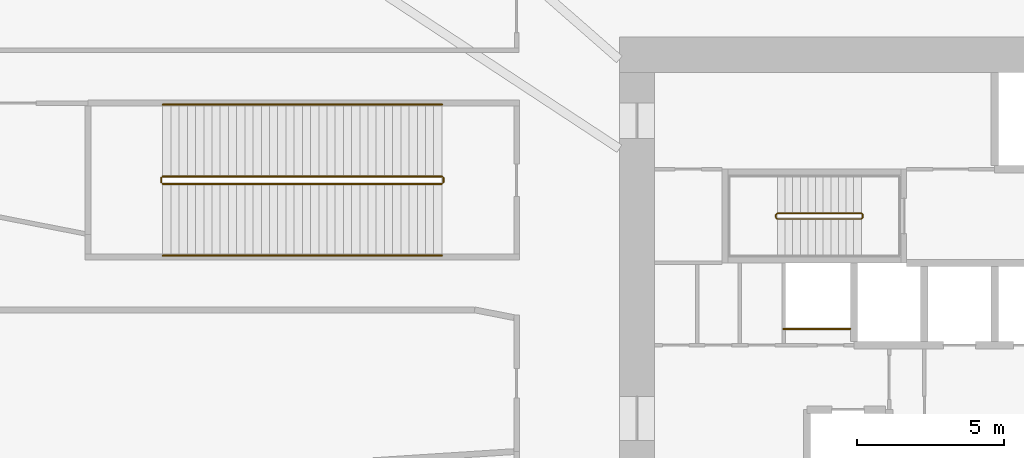
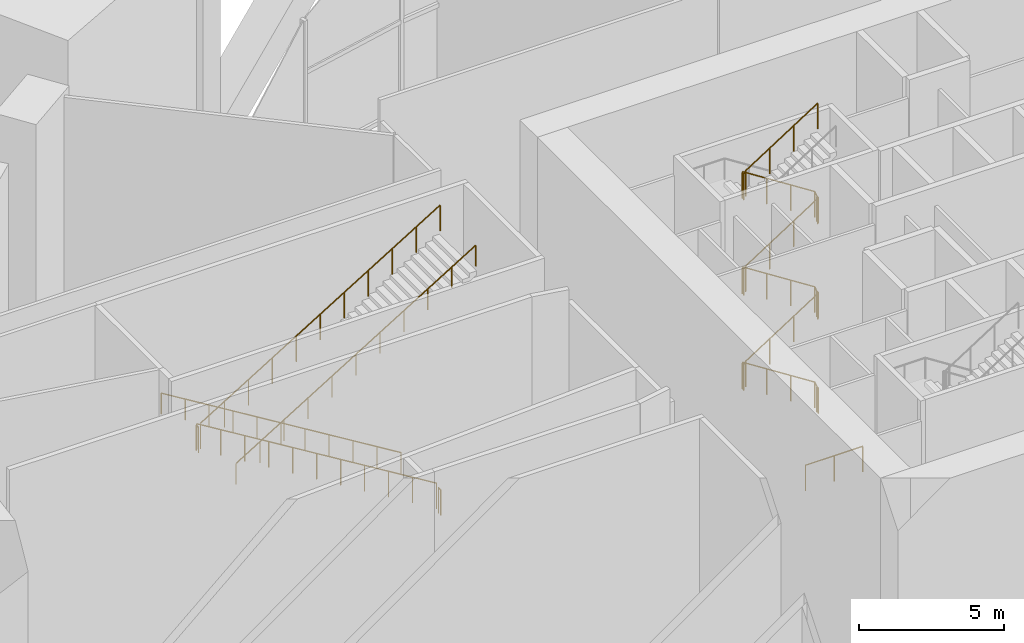
# One storey, part 17 of 21: 8 railings.
"""IFC4 building model written with IfcOpenShell, lengths in metres."""

from ifc_helpers import new_model, si_unit, direction, frame, origin, origin_2d, place, context, subcontext, project, spatial, circle, extrude, source, transform, mapped, material, type_object, element, save


model = new_model("IFC4")

# Units and contexts
model_context = context("Model", 3, precision=1e-05, world=origin(), true_north=direction((0.0, 1.0)))
body_context = subcontext(model_context, "Body", "Model", "MODEL_VIEW")
ifc_project = project(units=[si_unit("LENGTHUNIT", "METRE"), si_unit("AREAUNIT", "SQUARE_METRE"), si_unit("VOLUMEUNIT", "CUBIC_METRE"), si_unit("PLANEANGLEUNIT", "RADIAN"), si_unit("MASSUNIT", "GRAM", prefix="KILO")], contexts=[model_context])

# Site, building, storey
site_placement = place(None, origin())
site = spatial("IfcSite", under=ifc_project, at=site_placement, CompositionType="ELEMENT")
building_placement = place(site_placement, origin())
building = spatial("IfcBuilding", under=site, at=building_placement, Name="Embergate Tower", CompositionType="ELEMENT")
storey_placement = place(building_placement, frame((0.0, 0.0, 12.0)))
storey = spatial("IfcBuildingStorey", under=building, at=storey_placement, Name="L01", CompositionType="ELEMENT", Elevation=12.0)

# Railings
ifc_material_1 = material(Name="Stair guard 1100")
railing_type_1 = type_object("IfcRailingType", Name="Stair guard 1100", PredefinedType="GUARDRAIL", material=ifc_material_1)
shared_shape_1 = source(origin(), body_context, "Body", "SweptSolid", [
    extrude(circle(Radius=0.02392578125, at=origin_2d()), frame((0.0, 0.0, 1.076171875), z_axis=(0.0, 1.0, 0.0), x_axis=(-1.0, 0.0, 0.0)), (0.0, 0.0, 1.0), 0.099853515625),
    extrude(circle(Radius=0.02392578125, at=origin_2d()), frame((0.0, 0.099853515625, 1.076171875), z_axis=(-0.27628659633, 0.27628659633, 0.920506074601), x_axis=(-0.707106781187, -0.707106781187, 0.0)), (0.0, 0.0, 1.0), 0.18115234375),
    extrude(circle(Radius=0.02392578125, at=origin_2d()), frame((-0.050048828125, 0.14990234375, 1.24267578125), z_axis=(-0.841899231129, 0.0, 0.539634769658), x_axis=(0.0, -1.0, 0.0)), (0.0, 0.0, 1.0), 3.397216796875),
    extrude(circle(Radius=0.02392578125, at=origin_2d()), frame((-2.91015625, 0.14990234375, 3.076171875), z_axis=(-0.705375805398, -0.708833529934, 0.0), x_axis=(0.708833529934, -0.705375805398, 0.0)), (0.0, 0.0, 1.0), 0.070556640625),
    extrude(circle(Radius=0.02392578125, at=origin_2d()), frame((-2.9599609375, 0.099853515625, 3.076171875), z_axis=(0.0, -1.0, 0.0), x_axis=(1.0, 0.0, 0.0)), (0.0, 0.0, 1.0), 0.099853515625),
    extrude(circle(Radius=0.02392578125, at=origin_2d()), frame((-2.9599609375, 0.0, 3.076171875), z_axis=(0.275041040955, -0.276389281352, 0.920848191041), x_axis=(0.708833529934, 0.705375805398, 0.0)), (0.0, 0.0, 1.0), 0.18115234375),
    extrude(circle(Radius=0.02392578125, at=origin_2d()), frame((-2.91015625, -0.050048828125, 3.24267578125), z_axis=(0.841899231129, 0.0, 0.539634769658), x_axis=(0.0, 1.0, 0.0)), (0.0, 0.0, 1.0), 3.397216796875),
    extrude(circle(Radius=0.02392578125, at=origin_2d()), frame((-0.050048828125, -0.050048828125, 5.076171875), z_axis=(0.707106781187, 0.707106781187, 0.0), x_axis=(-0.707106781187, 0.707106781187, 0.0)), (0.0, 0.0, 1.0), 0.07080078125),
    extrude(circle(Radius=0.02392578125, at=origin_2d()), frame((0.0, 0.0, 5.076171875), z_axis=(0.0, 1.0, 0.0), x_axis=(-1.0, 0.0, 0.0)), (0.0, 0.0, 1.0), 0.099853515625),
    extrude(circle(Radius=0.02392578125, at=origin_2d()), frame((0.0, 0.099853515625, 5.076171875), z_axis=(-0.27628659633, 0.27628659633, 0.920506074601), x_axis=(-0.707106781187, -0.707106781187, 0.0)), (0.0, 0.0, 1.0), 0.18115234375),
    extrude(circle(Radius=0.02392578125, at=origin_2d()), frame((-0.050048828125, 0.14990234375, 5.24267578125), z_axis=(-0.841899231129, 0.0, 0.539634769658), x_axis=(0.0, -1.0, 0.0)), (0.0, 0.0, 1.0), 3.397216796875),
    extrude(circle(Radius=0.02392578125, at=origin_2d()), frame((-2.91015625, 0.14990234375, 7.076171875), z_axis=(-0.705375805398, -0.708833529934, 0.0), x_axis=(0.708833529934, -0.705375805398, 0.0)), (0.0, 0.0, 1.0), 0.070556640625),
    extrude(circle(Radius=0.02392578125, at=origin_2d()), frame((-2.9599609375, 0.099853515625, 7.076171875), z_axis=(0.0, -1.0, 0.0), x_axis=(1.0, 0.0, 0.0)), (0.0, 0.0, 1.0), 0.099853515625),
    extrude(circle(Radius=0.02392578125, at=origin_2d()), frame((-2.9599609375, 0.0, 7.076171875), z_axis=(0.275041040955, -0.276389281352, 0.920848191041), x_axis=(0.708833529934, 0.705375805398, 0.0)), (0.0, 0.0, 1.0), 0.18115234375),
    extrude(circle(Radius=0.02392578125, at=origin_2d()), frame((-2.91015625, -0.050048828125, 7.24267578125), z_axis=(0.841899231129, 0.0, 0.539634769658), x_axis=(0.0, 1.0, 0.0)), (0.0, 0.0, 1.0), 3.397216796875),
    extrude(circle(Radius=0.02392578125, at=origin_2d()), frame((-0.050048828125, -0.050048828125, 9.076171875), z_axis=(0.707106781187, 0.707106781187, 0.0), x_axis=(-0.707106781187, 0.707106781187, 0.0)), (0.0, 0.0, 1.0), 0.07080078125),
    extrude(circle(Radius=0.02392578125, at=origin_2d()), frame((0.0, 0.0, 9.076171875), z_axis=(0.0, 1.0, 0.0), x_axis=(-1.0, 0.0, 0.0)), (0.0, 0.0, 1.0), 0.099853515625),
    extrude(circle(Radius=0.02392578125, at=origin_2d()), frame((0.0, 0.099853515625, 9.076171875), z_axis=(-0.27628659633, 0.27628659633, 0.920506074601), x_axis=(-0.707106781187, -0.707106781187, 0.0)), (0.0, 0.0, 1.0), 0.18115234375),
    extrude(circle(Radius=0.02392578125, at=origin_2d()), frame((-0.050048828125, 0.14990234375, 9.24267578125), z_axis=(-0.841899231129, 0.0, 0.539634769658), x_axis=(0.0, -1.0, 0.0)), (0.0, 0.0, 1.0), 3.397216796875),
    extrude(circle(Radius=0.02392578125, at=origin_2d()), frame((-2.91015625, 0.14990234375, 11.076171875), z_axis=(-0.705375805398, -0.708833529934, 0.0), x_axis=(0.708833529934, -0.705375805398, 0.0)), (0.0, 0.0, 1.0), 0.070556640625),
    extrude(circle(Radius=0.02392578125, at=origin_2d()), frame((-2.9599609375, 0.099853515625, 11.076171875), z_axis=(0.0, -1.0, 0.0), x_axis=(1.0, 0.0, 0.0)), (0.0, 0.0, 1.0), 0.099853515625),
    extrude(circle(Radius=0.02392578125, at=origin_2d()), frame((-2.9599609375, 0.0, 11.076171875), z_axis=(0.275041040955, -0.276389281352, 0.920848191041), x_axis=(0.708833529934, 0.705375805398, 0.0)), (0.0, 0.0, 1.0), 0.18115234375),
    extrude(circle(Radius=0.02392578125, at=origin_2d()), frame((-2.91015625, -0.050048828125, 11.24267578125), z_axis=(0.841899231129, 0.0, 0.539634769658), x_axis=(0.0, 1.0, 0.0)), (0.0, 0.0, 1.0), 3.397216796875),
    extrude(circle(Radius=0.02099609375, at=origin_2d()), origin(), (0.0, 0.0, 1.0), 1.052001953125),
    extrude(circle(Radius=0.02099609375, at=origin_2d()), frame((0.0, 0.099853515625, 0.0)), (0.0, 0.0, 1.0), 1.052001953125),
    extrude(circle(Radius=0.02099609375, at=origin_2d()), frame((-0.050048828125, 0.14990234375, 0.166748046875)), (0.0, 0.0, 1.0), 1.052001953125),
    extrude(circle(Radius=0.02099609375, at=origin_2d()), frame((-1.00341796875, 0.14990234375, 0.77783203125)), (0.0, 0.0, 1.0), 1.052001953125),
    extrude(circle(Radius=0.02099609375, at=origin_2d()), frame((-1.956787109375, 0.14990234375, 1.388916015625)), (0.0, 0.0, 1.0), 1.052001953125),
    extrude(circle(Radius=0.02099609375, at=origin_2d()), frame((-2.91015625, 0.14990234375, 2.0)), (0.0, 0.0, 1.0), 1.052001953125),
    extrude(circle(Radius=0.02099609375, at=origin_2d()), frame((-2.9599609375, 0.099853515625, 2.0)), (0.0, 0.0, 1.0), 1.052001953125),
    extrude(circle(Radius=0.02099609375, at=origin_2d()), frame((-2.9599609375, 0.0, 2.0)), (0.0, 0.0, 1.0), 1.052001953125),
    extrude(circle(Radius=0.02099609375, at=origin_2d()), frame((-2.91015625, -0.050048828125, 2.166748046875)), (0.0, 0.0, 1.0), 1.052001953125),
    extrude(circle(Radius=0.02099609375, at=origin_2d()), frame((-1.956787109375, -0.050048828125, 2.77783203125)), (0.0, 0.0, 1.0), 1.052001953125),
    extrude(circle(Radius=0.02099609375, at=origin_2d()), frame((-1.00341796875, -0.050048828125, 3.388916015625)), (0.0, 0.0, 1.0), 1.052001953125),
    extrude(circle(Radius=0.02099609375, at=origin_2d()), frame((-0.050048828125, -0.050048828125, 4.0)), (0.0, 0.0, 1.0), 1.052001953125),
    extrude(circle(Radius=0.02099609375, at=origin_2d()), frame((0.0, 0.0, 4.0)), (0.0, 0.0, 1.0), 1.052001953125),
    extrude(circle(Radius=0.02099609375, at=origin_2d()), frame((0.0, 0.099853515625, 4.0)), (0.0, 0.0, 1.0), 1.052001953125),
    extrude(circle(Radius=0.02099609375, at=origin_2d()), frame((-0.050048828125, 0.14990234375, 4.166748046875)), (0.0, 0.0, 1.0), 1.052001953125),
    extrude(circle(Radius=0.02099609375, at=origin_2d()), frame((-1.00341796875, 0.14990234375, 4.77783203125)), (0.0, 0.0, 1.0), 1.052001953125),
    extrude(circle(Radius=0.02099609375, at=origin_2d()), frame((-1.956787109375, 0.14990234375, 5.388916015625)), (0.0, 0.0, 1.0), 1.052001953125),
    extrude(circle(Radius=0.02099609375, at=origin_2d()), frame((-2.91015625, 0.14990234375, 6.0)), (0.0, 0.0, 1.0), 1.052001953125),
    extrude(circle(Radius=0.02099609375, at=origin_2d()), frame((-2.9599609375, 0.099853515625, 6.0)), (0.0, 0.0, 1.0), 1.052001953125),
    extrude(circle(Radius=0.02099609375, at=origin_2d()), frame((-2.9599609375, 0.0, 6.0)), (0.0, 0.0, 1.0), 1.052001953125),
    extrude(circle(Radius=0.02099609375, at=origin_2d()), frame((-2.91015625, -0.050048828125, 6.166748046875)), (0.0, 0.0, 1.0), 1.052001953125),
    extrude(circle(Radius=0.02099609375, at=origin_2d()), frame((-1.956787109375, -0.050048828125, 6.77783203125)), (0.0, 0.0, 1.0), 1.052001953125),
    extrude(circle(Radius=0.02099609375, at=origin_2d()), frame((-1.00341796875, -0.050048828125, 7.388916015625)), (0.0, 0.0, 1.0), 1.052001953125),
    extrude(circle(Radius=0.02099609375, at=origin_2d()), frame((-0.050048828125, -0.050048828125, 8.0)), (0.0, 0.0, 1.0), 1.052001953125),
    extrude(circle(Radius=0.02099609375, at=origin_2d()), frame((0.0, 0.0, 8.0)), (0.0, 0.0, 1.0), 1.052001953125),
    extrude(circle(Radius=0.02099609375, at=origin_2d()), frame((0.0, 0.099853515625, 8.0)), (0.0, 0.0, 1.0), 1.052001953125),
    extrude(circle(Radius=0.02099609375, at=origin_2d()), frame((-0.050048828125, 0.14990234375, 8.166748046875)), (0.0, 0.0, 1.0), 1.052001953125),
    extrude(circle(Radius=0.02099609375, at=origin_2d()), frame((-1.00341796875, 0.14990234375, 8.77783203125)), (0.0, 0.0, 1.0), 1.052001953125),
    extrude(circle(Radius=0.02099609375, at=origin_2d()), frame((-1.956787109375, 0.14990234375, 9.388916015625)), (0.0, 0.0, 1.0), 1.052001953125),
    extrude(circle(Radius=0.02099609375, at=origin_2d()), frame((-2.91015625, 0.14990234375, 10.0)), (0.0, 0.0, 1.0), 1.052001953125),
    extrude(circle(Radius=0.02099609375, at=origin_2d()), frame((-2.9599609375, 0.099853515625, 10.0)), (0.0, 0.0, 1.0), 1.052001953125),
    extrude(circle(Radius=0.02099609375, at=origin_2d()), frame((-2.9599609375, 0.0, 10.0)), (0.0, 0.0, 1.0), 1.052001953125),
    extrude(circle(Radius=0.02099609375, at=origin_2d()), frame((-2.91015625, -0.050048828125, 10.166748046875)), (0.0, 0.0, 1.0), 1.052001953125),
    extrude(circle(Radius=0.02099609375, at=origin_2d()), frame((-1.956787109375, -0.050048828125, 10.77783203125)), (0.0, 0.0, 1.0), 1.052001953125),
    extrude(circle(Radius=0.02099609375, at=origin_2d()), frame((-1.00341796875, -0.050048828125, 11.388916015625)), (0.0, 0.0, 1.0), 1.052001953125),
    extrude(circle(Radius=0.02099609375, at=origin_2d()), frame((-0.050048828125, -0.050048828125, 12.0)), (0.0, 0.0, 1.0), 1.052001953125),
])
railing_1_placement = place(storey_placement, frame((-5.699951171875, 6.85009765625, 0.0)))
element("IfcRailing", 1, at=railing_1_placement, inside=storey, type_object=railing_type_1, Name="L01 ST1 stair guard 1", PredefinedType="GUARDRAIL", context=body_context, shape_type="MappedRepresentation", body=[
    mapped(shared_shape_1, transform((0.0, 0.0, 0.0))),
])
ifc_material_2 = material(Name="Opening guard 1100")
railing_type_2 = type_object("IfcRailingType", Name="Opening guard 1100", PredefinedType="GUARDRAIL", material=ifc_material_2)
shared_shape_2 = source(origin(), body_context, "Body", "SweptSolid", [
    extrude(circle(Radius=0.02392578125, at=origin_2d()), frame((0.0, 0.0, 1.076171875), z_axis=(1.0, 0.0, 0.0), x_axis=(0.0, 1.0, 0.0)), (0.0, 0.0, 1.0), 2.27490234375),
    extrude(circle(Radius=0.02099609375, at=origin_2d()), origin(), (0.0, 0.0, 1.0), 1.052001953125),
    extrude(circle(Radius=0.02099609375, at=origin_2d()), frame((1.137451171875, 0.0, 0.0)), (0.0, 0.0, 1.0), 1.052001953125),
    extrude(circle(Radius=0.02099609375, at=origin_2d()), frame((2.27490234375, 0.0, 0.0)), (0.0, 0.0, 1.0), 1.052001953125),
])
railing_2_placement = place(storey_placement, frame((-8.39990234375, 3.050048828125, 0.0)))
element("IfcRailing", 2, at=railing_2_placement, inside=storey, type_object=railing_type_2, Name="Riser opening guard", PredefinedType="GUARDRAIL", context=body_context, shape_type="MappedRepresentation", body=[
    mapped(shared_shape_2, transform((0.0, 0.0, 0.0))),
])
ifc_material_3 = material(Name="Steel", Category="steel")
railing_type_3 = type_object("IfcRailingType", Name="Podium stair guard 1100", PredefinedType="GUARDRAIL", material=ifc_material_3)
shared_shape_3 = source(origin(), body_context, "Body", "SweptSolid", [
    extrude(circle(Radius=0.02392578125, at=origin_2d()), frame((0.0, 0.0, 1.076171875), z_axis=(0.852850111455, 0.0, 0.522155807582), x_axis=(0.0, 1.0, 0.0)), (0.0, 0.0, 1.0), 11.16259765625),
    extrude(circle(Radius=0.02099609375, at=origin_2d()), origin(), (0.0, 0.0, 1.0), 1.052001953125),
    extrude(circle(Radius=0.02099609375, at=origin_2d()), frame((0.951904296875, 0.0, 0.582763671875)), (0.0, 0.0, 1.0), 1.052001953125),
    extrude(circle(Radius=0.02099609375, at=origin_2d()), frame((1.904052734375, 0.0, 1.165771484375)), (0.0, 0.0, 1.0), 1.052001953125),
    extrude(circle(Radius=0.02099609375, at=origin_2d()), frame((2.85595703125, 0.0, 1.74853515625)), (0.0, 0.0, 1.0), 1.052001953125),
    extrude(circle(Radius=0.02099609375, at=origin_2d()), frame((3.80810546875, 0.0, 2.33154296875)), (0.0, 0.0, 1.0), 1.052001953125),
    extrude(circle(Radius=0.02099609375, at=origin_2d()), frame((4.760009765625, 0.0, 2.914306640625)), (0.0, 0.0, 1.0), 1.052001953125),
    extrude(circle(Radius=0.02099609375, at=origin_2d()), frame((5.7119140625, 0.0, 3.4970703125)), (0.0, 0.0, 1.0), 1.052001953125),
    extrude(circle(Radius=0.02099609375, at=origin_2d()), frame((6.6640625, 0.0, 4.080078125)), (0.0, 0.0, 1.0), 1.052001953125),
    extrude(circle(Radius=0.02099609375, at=origin_2d()), frame((7.615966796875, 0.0, 4.662841796875)), (0.0, 0.0, 1.0), 1.052001953125),
    extrude(circle(Radius=0.02099609375, at=origin_2d()), frame((8.568115234375, 0.0, 5.245849609375)), (0.0, 0.0, 1.0), 1.052001953125),
    extrude(circle(Radius=0.02099609375, at=origin_2d()), frame((9.52001953125, 0.0, 5.82861328125)), (0.0, 0.0, 1.0), 1.052001953125),
])
railing_3_placement = place(storey_placement, frame((-29.570068359375, 8.0, 6.17138671875)))
element("IfcRailing", 3, at=railing_3_placement, inside=storey, type_object=railing_type_3, Name="L01 P3 stair guard 3", PredefinedType="GUARDRAIL", context=body_context, shape_type="MappedRepresentation", body=[
    mapped(shared_shape_3, transform((0.0, 0.0, 0.0))),
])
shared_shape_4 = source(origin(), body_context, "Body", "SweptSolid", [
    extrude(circle(Radius=0.02392578125, at=origin_2d()), frame((0.0, 0.0, 1.076171875), z_axis=(-0.852850111455, 0.0, 0.522155807582), x_axis=(0.0, -1.0, 0.0)), (0.0, 0.0, 1.0), 11.16259765625),
    extrude(circle(Radius=0.02099609375, at=origin_2d()), origin(), (0.0, 0.0, 1.0), 1.052001953125),
    extrude(circle(Radius=0.02099609375, at=origin_2d()), frame((-0.951904296875, 0.0, 0.582763671875)), (0.0, 0.0, 1.0), 1.052001953125),
    extrude(circle(Radius=0.02099609375, at=origin_2d()), frame((-1.904052734375, 0.0, 1.165771484375)), (0.0, 0.0, 1.0), 1.052001953125),
    extrude(circle(Radius=0.02099609375, at=origin_2d()), frame((-2.85595703125, 0.0, 1.74853515625)), (0.0, 0.0, 1.0), 1.052001953125),
    extrude(circle(Radius=0.02099609375, at=origin_2d()), frame((-3.80810546875, 0.0, 2.33154296875)), (0.0, 0.0, 1.0), 1.052001953125),
    extrude(circle(Radius=0.02099609375, at=origin_2d()), frame((-4.760009765625, 0.0, 2.914306640625)), (0.0, 0.0, 1.0), 1.052001953125),
    extrude(circle(Radius=0.02099609375, at=origin_2d()), frame((-5.7119140625, 0.0, 3.4970703125)), (0.0, 0.0, 1.0), 1.052001953125),
    extrude(circle(Radius=0.02099609375, at=origin_2d()), frame((-6.6640625, 0.0, 4.080078125)), (0.0, 0.0, 1.0), 1.052001953125),
    extrude(circle(Radius=0.02099609375, at=origin_2d()), frame((-7.615966796875, 0.0, 4.662841796875)), (0.0, 0.0, 1.0), 1.052001953125),
    extrude(circle(Radius=0.02099609375, at=origin_2d()), frame((-8.568115234375, 0.0, 5.245849609375)), (0.0, 0.0, 1.0), 1.052001953125),
    extrude(circle(Radius=0.02099609375, at=origin_2d()), frame((-9.52001953125, 0.0, 5.82861328125)), (0.0, 0.0, 1.0), 1.052001953125),
])
railing_4_placement = place(storey_placement, frame((-20.050048828125, 8.25, 0.17138671875)))
element("IfcRailing", 4, at=railing_4_placement, inside=storey, type_object=railing_type_3, Name="L01 P3 stair guard 1", PredefinedType="GUARDRAIL", context=body_context, shape_type="MappedRepresentation", body=[
    mapped(shared_shape_4, transform((0.0, 0.0, 0.0))),
])
railing_type_4 = type_object("IfcRailingType", Name="Podium stair handrail 900", PredefinedType="HANDRAIL", material=ifc_material_3)
shared_shape_5 = source(origin(), body_context, "Body", "SweptSolid", [
    extrude(circle(Radius=0.02392578125, at=origin_2d()), frame((0.0, 0.0, 0.8759765625), z_axis=(0.852850111455, 0.0, 0.522155807582), x_axis=(0.0, 1.0, 0.0)), (0.0, 0.0, 1.0), 11.16259765625),
    extrude(circle(Radius=0.02099609375, at=origin_2d()), origin(), (0.0, 0.0, 1.0), 0.851806640625),
    extrude(circle(Radius=0.02099609375, at=origin_2d()), frame((0.951904296875, 0.0, 0.582763671875)), (0.0, 0.0, 1.0), 0.851806640625),
    extrude(circle(Radius=0.02099609375, at=origin_2d()), frame((1.904052734375, 0.0, 1.165771484375)), (0.0, 0.0, 1.0), 0.851806640625),
    extrude(circle(Radius=0.02099609375, at=origin_2d()), frame((2.85595703125, 0.0, 1.74853515625)), (0.0, 0.0, 1.0), 0.851806640625),
    extrude(circle(Radius=0.02099609375, at=origin_2d()), frame((3.80810546875, 0.0, 2.33154296875)), (0.0, 0.0, 1.0), 0.851806640625),
    extrude(circle(Radius=0.02099609375, at=origin_2d()), frame((4.760009765625, 0.0, 2.914306640625)), (0.0, 0.0, 1.0), 0.851806640625),
    extrude(circle(Radius=0.02099609375, at=origin_2d()), frame((5.7119140625, 0.0, 3.4970703125)), (0.0, 0.0, 1.0), 0.851806640625),
    extrude(circle(Radius=0.02099609375, at=origin_2d()), frame((6.6640625, 0.0, 4.080078125)), (0.0, 0.0, 1.0), 0.851806640625),
    extrude(circle(Radius=0.02099609375, at=origin_2d()), frame((7.615966796875, 0.0, 4.662841796875)), (0.0, 0.0, 1.0), 0.851806640625),
    extrude(circle(Radius=0.02099609375, at=origin_2d()), frame((8.568115234375, 0.0, 5.245849609375)), (0.0, 0.0, 1.0), 0.851806640625),
    extrude(circle(Radius=0.02099609375, at=origin_2d()), frame((9.52001953125, 0.0, 5.82861328125)), (0.0, 0.0, 1.0), 0.851806640625),
])
railing_5_placement = place(storey_placement, frame((-29.570068359375, 5.550048828125, 6.17138671875)))
element("IfcRailing", 5, at=railing_5_placement, inside=storey, type_object=railing_type_4, Name="L01 P3 stair handrail 2", PredefinedType="HANDRAIL", context=body_context, shape_type="MappedRepresentation", body=[
    mapped(shared_shape_5, transform((0.0, 0.0, 0.0))),
])
shared_shape_6 = source(origin(), body_context, "Body", "SweptSolid", [
    extrude(circle(Radius=0.02392578125, at=origin_2d()), frame((0.0, 0.0, 0.8759765625), z_axis=(-0.852850111455, 0.0, 0.522155807582), x_axis=(0.0, -1.0, 0.0)), (0.0, 0.0, 1.0), 11.16259765625),
    extrude(circle(Radius=0.02099609375, at=origin_2d()), origin(), (0.0, 0.0, 1.0), 0.851806640625),
    extrude(circle(Radius=0.02099609375, at=origin_2d()), frame((-0.951904296875, 0.0, 0.582763671875)), (0.0, 0.0, 1.0), 0.851806640625),
    extrude(circle(Radius=0.02099609375, at=origin_2d()), frame((-1.904052734375, 0.0, 1.165771484375)), (0.0, 0.0, 1.0), 0.851806640625),
    extrude(circle(Radius=0.02099609375, at=origin_2d()), frame((-2.85595703125, 0.0, 1.74853515625)), (0.0, 0.0, 1.0), 0.851806640625),
    extrude(circle(Radius=0.02099609375, at=origin_2d()), frame((-3.80810546875, 0.0, 2.33154296875)), (0.0, 0.0, 1.0), 0.851806640625),
    extrude(circle(Radius=0.02099609375, at=origin_2d()), frame((-4.760009765625, 0.0, 2.914306640625)), (0.0, 0.0, 1.0), 0.851806640625),
    extrude(circle(Radius=0.02099609375, at=origin_2d()), frame((-5.7119140625, 0.0, 3.4970703125)), (0.0, 0.0, 1.0), 0.851806640625),
    extrude(circle(Radius=0.02099609375, at=origin_2d()), frame((-6.6640625, 0.0, 4.080078125)), (0.0, 0.0, 1.0), 0.851806640625),
    extrude(circle(Radius=0.02099609375, at=origin_2d()), frame((-7.615966796875, 0.0, 4.662841796875)), (0.0, 0.0, 1.0), 0.851806640625),
    extrude(circle(Radius=0.02099609375, at=origin_2d()), frame((-8.568115234375, 0.0, 5.245849609375)), (0.0, 0.0, 1.0), 0.851806640625),
    extrude(circle(Radius=0.02099609375, at=origin_2d()), frame((-9.52001953125, 0.0, 5.82861328125)), (0.0, 0.0, 1.0), 0.851806640625),
])
railing_6_placement = place(storey_placement, frame((-20.050048828125, 10.699951171875, 0.17138671875)))
element("IfcRailing", 6, at=railing_6_placement, inside=storey, type_object=railing_type_4, Name="L01 P3 stair handrail 1", PredefinedType="HANDRAIL", context=body_context, shape_type="MappedRepresentation", body=[
    mapped(shared_shape_6, transform((0.0, 0.0, 0.0))),
])
shared_shape_7 = source(origin(), body_context, "Body", "SweptSolid", [
    extrude(circle(Radius=0.02392578125, at=origin_2d()), frame((0.0, 0.0, 1.076171875), z_axis=(0.0, -1.0, 0.0), x_axis=(1.0, 0.0, 0.0)), (0.0, 0.0, 1.0), 0.14990234375),
    extrude(circle(Radius=0.02099609375, at=origin_2d()), origin(), (0.0, 0.0, 1.0), 1.052001953125),
    extrude(circle(Radius=0.02099609375, at=origin_2d()), frame((0.0, -0.14990234375, 0.0)), (0.0, 0.0, 1.0), 1.052001953125),
])
for number, where, name in (
    (7, (-29.6201171875, 8.199951171875, 6.0), "L01 P3 stair guard 2"),
    (8, (-20.0, 8.199951171875, 0.0), "L01 P3 stair guard 4"),
):
    element("IfcRailing", number, at=place(storey_placement, frame(where)), inside=storey, type_object=railing_type_3, Name=name, PredefinedType="GUARDRAIL", context=body_context, shape_type="MappedRepresentation", body=[
        mapped(shared_shape_7, transform((0.0, 0.0, 0.0))),
    ])

save(model, "model.ifc")
